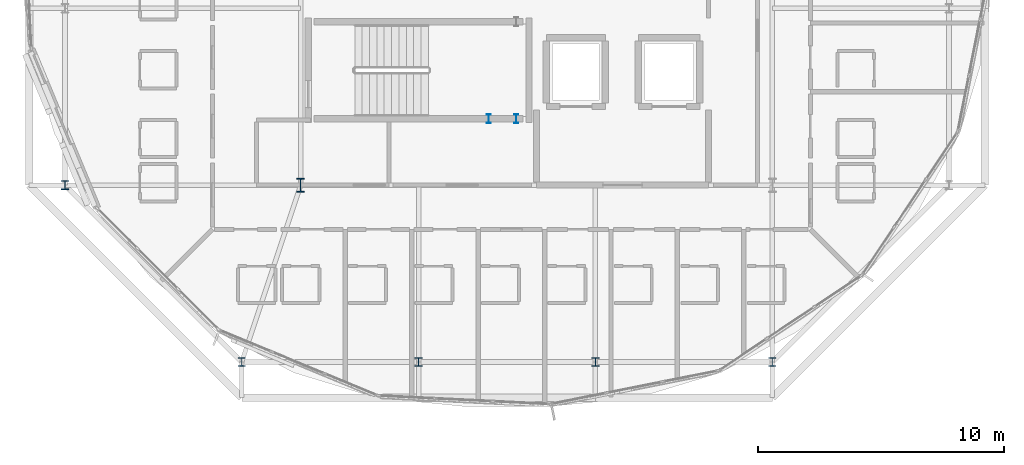
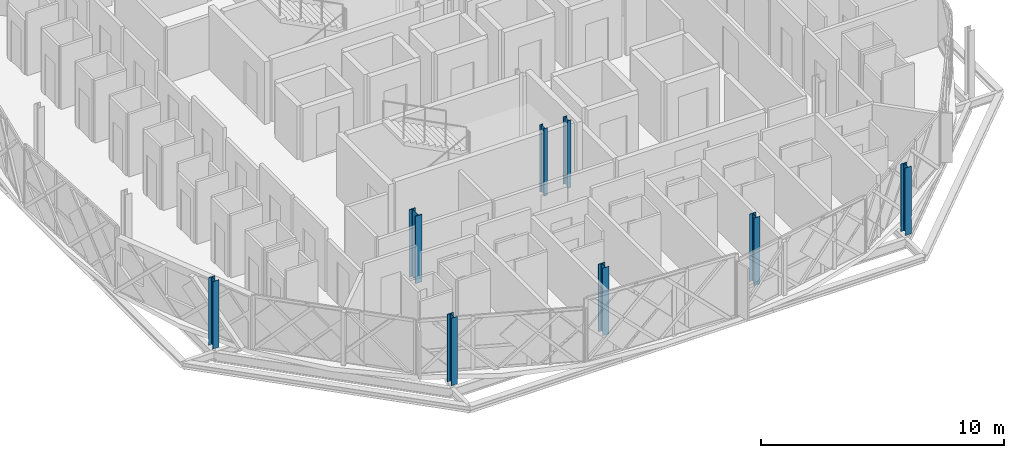
# One storey, part 1 of 24: 8 columns.
"""IFC4 building model written with IfcOpenShell, lengths in metres."""

from ifc_helpers import new_model, si_unit, direction, frame, origin, origin_2d, place, context, subcontext, project, spatial, i_section, extrude, material, material_profile, profile_set, type_object, element, save


model = new_model("IFC4")

# Units and contexts
model_context = context("Model", 3, precision=1e-05, world=origin(), true_north=direction((0.0, 1.0)))
body_context = subcontext(model_context, "Body", "Model", "MODEL_VIEW")
ifc_project = project(units=[si_unit("LENGTHUNIT", "METRE"), si_unit("AREAUNIT", "SQUARE_METRE"), si_unit("VOLUMEUNIT", "CUBIC_METRE"), si_unit("PLANEANGLEUNIT", "RADIAN"), si_unit("MASSUNIT", "GRAM", prefix="KILO")], contexts=[model_context])

# Site, building, storey
site_placement = place(None, origin())
site = spatial("IfcSite", under=ifc_project, at=site_placement, CompositionType="ELEMENT")
building_placement = place(site_placement, origin())
building = spatial("IfcBuilding", under=site, at=building_placement, Name="Zevrakil Square Congress Hotel", CompositionType="ELEMENT")
storey_placement = place(building_placement, frame((0.0, 0.0, 38.5)))
storey = spatial("IfcBuildingStorey", under=building, at=storey_placement, Name="L11", CompositionType="ELEMENT", Elevation=38.5)

# Columns
ifc_material_1 = material(Name="Steel S355", Category="steel")
ifc_material_profile_1 = material_profile(ifc_material_1, i_section(OverallWidth=0.300048828125, OverallDepth=0.360107421875, WebThickness=0.012451171875, FlangeThickness=0.0224609375, FilletRadius=0.027099609375, at=origin_2d()), Name="HEB 360")
ifc_profile_set_1 = profile_set([ifc_material_profile_1], Name="Steel S355")
column_type_1 = type_object("IfcColumnType", Name="COL-HEB360", PredefinedType="COLUMN", material=ifc_profile_set_1)
for number, where, z_axis, x_axis, name in (
    (1, (134.39990234375, 9.60009765625, 0.0), (0.0, 0.0, 1.0), (1.0, 0.0, 0.0), "L11 drum column DC01"),
    (2, (141.60009765625, 9.60009765625, 0.0), (0.0, 0.0, 1.0), (1.0, 0.0, 0.0), "L11 drum column DC02"),
    (3, (148.800048828125, 9.60009765625, 0.0), (0.0, 0.0, 1.0), (1.0, 0.0, 0.0), "L11 drum column DC03"),
    (4, (156.0, 9.60009765625, 0.0), (0.0, 0.0, 1.0), (1.0, 0.0, 0.0), "L11 drum column DC04"),
    (5, (127.199951171875, 16.800048828125, 0.0), (0.0, 0.0, 1.0), (1.0, 0.0, 0.0), "L11 drum column DC16"),
):
    element("IfcColumn", number, at=place(storey_placement, frame(where, z_axis=z_axis, x_axis=x_axis)), inside=storey, type_object=column_type_1, Name=name, PredefinedType="COLUMN", context=body_context, shape_type="SweptSolid", body=[
        extrude(i_section(OverallWidth=0.300048828125, OverallDepth=0.360107421875, WebThickness=0.012451171875, FlangeThickness=0.0224609375, FilletRadius=0.027099609375, at=origin_2d()), origin(), (0.0, 0.0, 1.0), 3.39990234375),
    ])
ifc_material_2 = material(Name="Steel S355", Category="steel")
ifc_material_profile_2 = material_profile(ifc_material_2, i_section(OverallWidth=0.305908203125, OverallDepth=0.572021484375, WebThickness=0.02099609375, FlangeThickness=0.0400390625, FilletRadius=0.027099609375, at=origin_2d()), Name="HEM 550")
ifc_profile_set_2 = profile_set([ifc_material_profile_2], Name="Steel S355")
column_type_2 = type_object("IfcColumnType", Name="COL-HEM550", PredefinedType="COLUMN", material=ifc_profile_set_2)
column_placement = place(storey_placement, frame((136.800048828125, 16.800048828125, 0.0), z_axis=(0.0, 0.0, 1.0), x_axis=(1.0, 0.0, 0.0)))
element("IfcColumn", 6, at=column_placement, inside=storey, type_object=column_type_2, Name="L11 column C-206", PredefinedType="COLUMN", context=body_context, shape_type="SweptSolid", body=[
    extrude(i_section(OverallWidth=0.305908203125, OverallDepth=0.572021484375, WebThickness=0.02099609375, FlangeThickness=0.0400390625, FilletRadius=0.027099609375, at=origin_2d()), origin(), (0.0, 0.0, 1.0), 3.39990234375),
])
ifc_material_3 = material(Name="Steel S355", Category="steel")
ifc_material_profile_3 = material_profile(ifc_material_3, i_section(OverallWidth=0.169921875, OverallDepth=0.360107421875, WebThickness=0.008056640625, FlangeThickness=0.0126953125, FilletRadius=0.01806640625, at=origin_2d()), Name="IPE 360")
ifc_profile_set_3 = profile_set([ifc_material_profile_3], Name="Steel S355")
column_type_3 = type_object("IfcColumnType", Name="COL-PILASTER-SHS180", PredefinedType="PILASTER", material=ifc_profile_set_3)
for number, where, z_axis, x_axis, name in (
    (7, (144.449951171875, 19.5, 0.0), (0.0, 0.0, 1.0), (1.0, 0.0, 0.0), "L11 ST01 stair shaft post 1"),
    (8, (145.580078125, 19.5, 0.0), (0.0, 0.0, 1.0), (1.0, 0.0, 0.0), "L11 ST01 stair shaft post 2"),
):
    element("IfcColumn", number, at=place(storey_placement, frame(where, z_axis=z_axis, x_axis=x_axis)), inside=storey, type_object=column_type_3, Name=name, PredefinedType="PILASTER", context=body_context, shape_type="SweptSolid", body=[
        extrude(i_section(OverallWidth=0.169921875, OverallDepth=0.360107421875, WebThickness=0.008056640625, FlangeThickness=0.0126953125, FilletRadius=0.01806640625, at=origin_2d()), origin(), (0.0, 0.0, 1.0), 3.39990234375),
    ])

save(model, "model.ifc")
